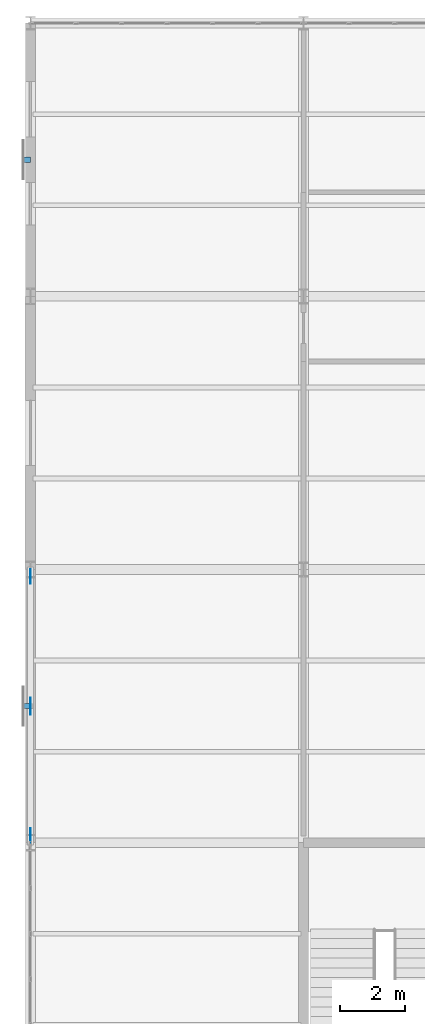
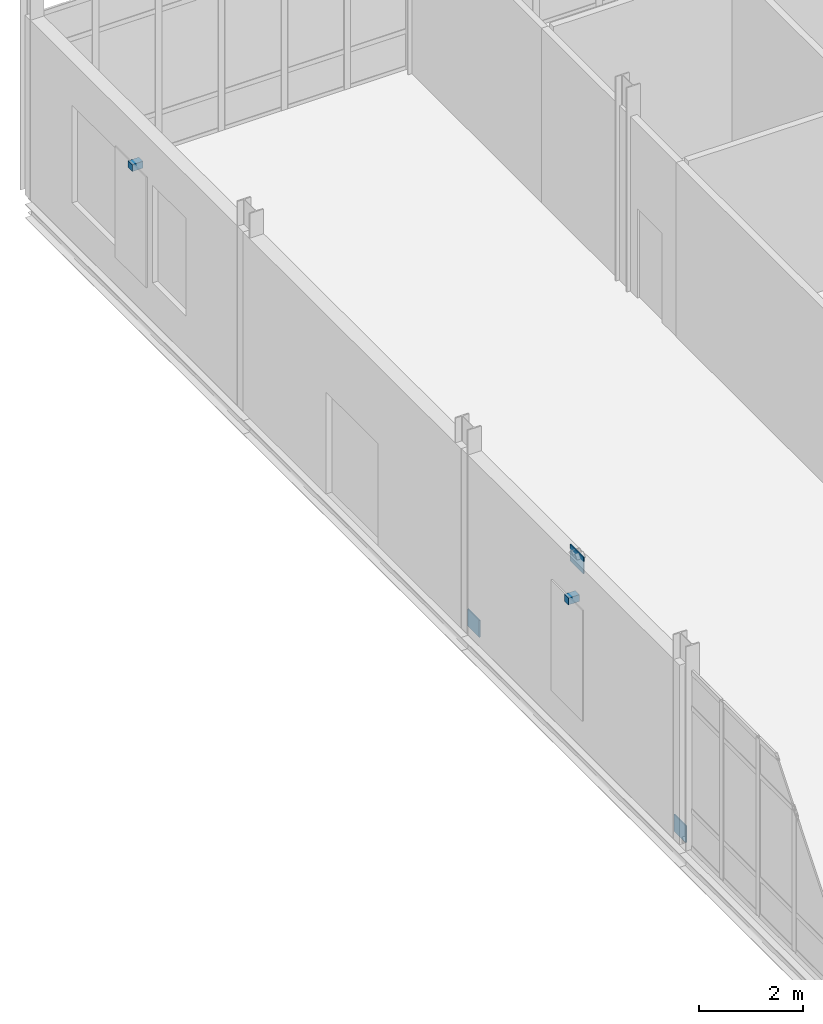
# One storey, part 133 of 145: 5 discrete accessories.
"""IFC4 building model written with IfcOpenShell, lengths in metres."""

from ifc_helpers import new_model, si_unit, direction, frame, origin, origin_2d, place, context, subcontext, project, spatial, rectangle, extrude, material, type_object, element, save


model = new_model("IFC4")

# Units and contexts
model_context = context("Model", 3, precision=1e-05, world=origin(), true_north=direction((0.0, 1.0)))
body_context = subcontext(model_context, "Body", "Model", "MODEL_VIEW")
ifc_project = project(units=[si_unit("LENGTHUNIT", "METRE"), si_unit("AREAUNIT", "SQUARE_METRE"), si_unit("VOLUMEUNIT", "CUBIC_METRE"), si_unit("PLANEANGLEUNIT", "RADIAN"), si_unit("MASSUNIT", "GRAM", prefix="KILO")], contexts=[model_context])

# Site, building, storey
site_placement = place(None, origin())
site = spatial("IfcSite", under=ifc_project, at=site_placement, CompositionType="ELEMENT")
building_placement = place(site_placement, origin())
building = spatial("IfcBuilding", under=site, at=building_placement, Name="Qalvenar Corner Mobility Hub", CompositionType="ELEMENT")
storey_placement = place(building_placement, origin())
storey = spatial("IfcBuildingStorey", under=building, at=storey_placement, Name="L00", CompositionType="ELEMENT", Elevation=0.0)

# Discrete accessories
ifc_material = material(Name="Steel S355", Category="steel")
discrete_accessory_type_1 = type_object("IfcDiscreteAccessoryType", Name="ACC-GUSSET-PLT", PredefinedType="BRACKET", material=ifc_material)
discrete_accessory_placement = place(storey_placement, frame((0.0, 71.39990234375, 3.93017578125), z_axis=(0.0, 0.0, 1.0), x_axis=(0.0, 1.0, 0.0)))
element("IfcDiscreteAccessory", 1, at=discrete_accessory_placement, inside=storey, type_object=discrete_accessory_type_1, Name="Chevron Apex Gusset Plate GP-A-070", PredefinedType="BRACKET", context=body_context, shape_type="SweptSolid", body=[
    extrude(rectangle(XDim=0.52001953125, YDim=0.02490234375, at=origin_2d()), origin(), (0.0, 0.0, 1.0), 0.3798828125),
])
for number, where, z_axis, x_axis, name in (
    (2, (0.0, 67.419921875, 0.0), (0.0, 0.0, 1.0), (0.0, 1.0, 0.0), "Brace Base Gusset Plate GP-B-071"),
    (3, (0.0, 75.3798828125, 0.0), (0.0, 0.0, 1.0), (0.0, 1.0, 0.0), "Brace Base Gusset Plate GP-B-072"),
):
    element("IfcDiscreteAccessory", number, at=place(storey_placement, frame(where, z_axis=z_axis, x_axis=x_axis)), inside=storey, type_object=discrete_accessory_type_1, Name=name, PredefinedType="BRACKET", context=body_context, shape_type="SweptSolid", body=[
        extrude(rectangle(XDim=0.449951171875, YDim=0.02490234375, at=origin_2d()), origin(), (0.0, 0.0, 1.0), 0.39990234375),
    ])
discrete_accessory_type_2 = type_object("IfcDiscreteAccessoryType", Name="ACC-HINGE-BRK", PredefinedType="BRACKET", material=ifc_material)
for number, where, z_axis, x_axis, name in (
    (4, (-0.1201171875, 71.39990234375, 3.169921875), (0.0, 0.0, 1.0), (0.0, 1.0, 0.0), "Cycle Screen Bracket BKV5-L00-3"),
    (5, (-0.1201171875, 88.199951171875, 3.169921875), (0.0, 0.0, 1.0), (0.0, 1.0, 0.0), "Cycle Screen Bracket BKV5-L00-5"),
):
    element("IfcDiscreteAccessory", number, at=place(storey_placement, frame(where, z_axis=z_axis, x_axis=x_axis)), inside=storey, type_object=discrete_accessory_type_2, Name=name, PredefinedType="BRACKET", context=body_context, shape_type="SweptSolid", body=[
        extrude(rectangle(XDim=0.159912109375, YDim=0.239990234375, at=origin_2d()), origin(), (0.0, 0.0, 1.0), 0.159912109375),
    ])

save(model, "model.ifc")
